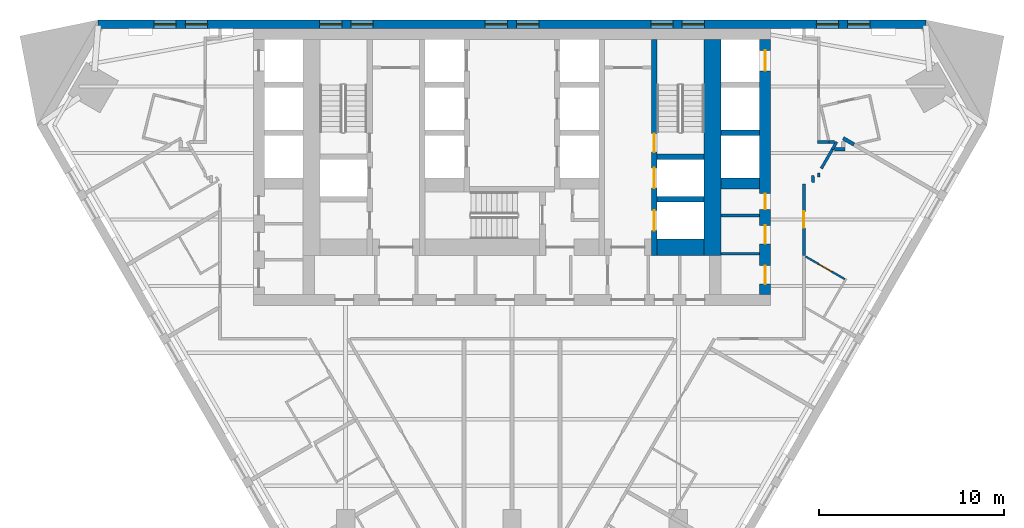
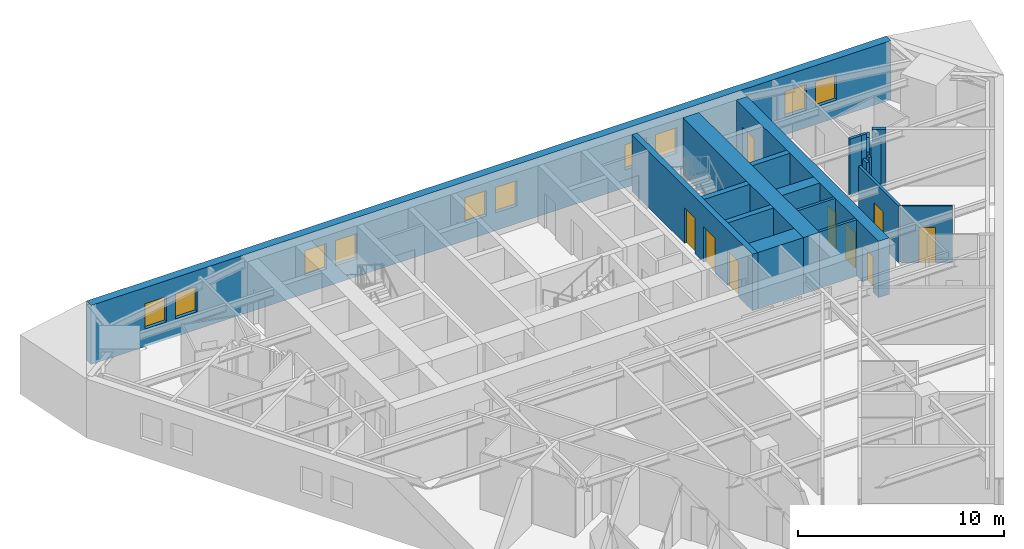
# One storey, part 8 of 10: 21 walls, 10 windows, 9 doors, 19 openings.
"""IFC4 building model written with IfcOpenShell, lengths in metres."""

import ifcopenshell
import ifcopenshell.guid

model = None  # the IFC model being written
_history = None  # IfcOwnerHistory: only IFC2X3 demands one
_inside = {}  # id of a spatial element -> (the spatial element, [elements in it])
_under = {}  # id of a project, library or spatial element -> (it, [spatial elements below it])
_declared = {}  # id of a project -> (the project, [libraries it declares])
_typed = {}  # id of a type object -> (the type object, [elements of that type])
_made_of = {}  # id of a material, layer set ... -> (it, [elements and type objects made of it])


def new_model(schema):
    """Start an empty IFC model of exactly this schema.

    Asked for "IFC4X3", IfcOpenShell would pick the latest addendum, in which some entities
    have other attributes; the version numbers below select the first issue.
    IFC2X3 requires an IfcOwnerHistory on every rooted entity: one is made here for all.
    """
    global model, _history
    if schema == "IFC4X3":
        model = ifcopenshell.file(schema_version=(4, 3, 0, 0))
    else:
        model = ifcopenshell.file(schema=schema)
    _inside.clear()
    _under.clear()
    _declared.clear()
    _typed.clear()
    _made_of.clear()
    _history = None
    if model.schema == "IFC2X3":
        org = make("IfcOrganization", Name="unknown")
        user = make(
            "IfcPersonAndOrganization",
            ThePerson=make("IfcPerson", FamilyName="unknown"),
            TheOrganization=org,
        )
        app = make(
            "IfcApplication",
            ApplicationDeveloper=org,
            Version="unknown",
            ApplicationFullName="unknown",
            ApplicationIdentifier="unknown",
        )
        _history = make(
            "IfcOwnerHistory",
            OwningUser=user,
            OwningApplication=app,
            ChangeAction="ADDED",
            CreationDate=0,
        )
    return model


def make(cls, **values):
    """One entity of the class cls with the attributes given. An attribute that is None is left unset."""
    return model.create_entity(
        cls, **{name: value for name, value in values.items() if value is not None}
    )


def rooted(cls, **values):
    """An entity with a GlobalId (a new one), such as an element, a storey or a relation."""
    return make(cls, GlobalId=ifcopenshell.guid.new(), OwnerHistory=_history, **values)


def si_unit(unit_type, name, prefix=None):
    """IfcSIUnit, for example si_unit("LENGTHUNIT", "METRE", prefix="MILLI")."""
    return make("IfcSIUnit", UnitType=unit_type, Prefix=prefix, Name=name)


def assignment(units):
    """IfcUnitAssignment: the units of a project."""
    return None if units is None else make("IfcUnitAssignment", Units=units)


def point(xyz):
    """IfcCartesianPoint."""
    return None if xyz is None else make("IfcCartesianPoint", Coordinates=xyz)


def direction(xyz):
    """IfcDirection."""
    return None if xyz is None else make("IfcDirection", DirectionRatios=xyz)


def frame(location, z_axis=None, x_axis=None):
    """IfcAxis2Placement3D, a coordinate frame: its origin and axes. An axis left out is left unset."""
    return make(
        "IfcAxis2Placement3D",
        Location=point(location),
        Axis=direction(z_axis),
        RefDirection=direction(x_axis),
    )


def frame_2d(location, x_axis=None):
    """IfcAxis2Placement2D, a coordinate frame in the plane: its origin and x axis."""
    return make(
        "IfcAxis2Placement2D", Location=point(location), RefDirection=direction(x_axis)
    )


def origin():
    """The frame at (0, 0, 0) with its axes left unset."""
    return frame((0.0, 0.0, 0.0))


def place(relative_to, where):
    """IfcLocalPlacement: puts the frame where relative to a parent placement (None: the world)."""
    return make(
        "IfcLocalPlacement", PlacementRelTo=relative_to, RelativePlacement=where
    )


def context(
    kind, dimensions, precision=None, world=None, true_north=None, identifier=None
):
    """IfcGeometricRepresentationContext, for example the 3D "Model" context."""
    return make(
        "IfcGeometricRepresentationContext",
        ContextIdentifier=identifier,
        ContextType=kind,
        CoordinateSpaceDimension=dimensions,
        Precision=precision,
        WorldCoordinateSystem=world,
        TrueNorth=true_north,
    )


def subcontext(parent, identifier, kind, view, scale=None):
    """IfcGeometricRepresentationSubContext, for example "Body" below "Model"."""
    return make(
        "IfcGeometricRepresentationSubContext",
        ContextIdentifier=identifier,
        ContextType=kind,
        ParentContext=parent,
        TargetScale=scale,
        TargetView=view,
    )


def project(units=None, contexts=None):
    """IfcProject with its units and contexts."""
    return rooted(
        "IfcProject",
        Name="project",
        RepresentationContexts=contexts,
        UnitsInContext=assignment(units),
    )


def spatial(cls, under=None, at=None, **own):
    """A site, building, storey or space (cls), placed at a placement, below another one or the project."""
    s = rooted(cls, ObjectPlacement=at, **own)
    if under is not None:
        _under.setdefault(under.id(), (under, []))[1].append(s)
    return s


def polyline(points):
    """IfcPolyline through the points."""
    return make("IfcPolyline", Points=[point(p) for p in points])


def profile(cls, at=None, kind="AREA", **sizes):
    """A parametric profile (cls). Its sizes go by their IFC names, for example OverallWidth=200.0."""
    return make(cls, ProfileType=kind, Position=at, **sizes)


def rectangle(**sizes):
    """IfcRectangleProfileDef."""
    return profile("IfcRectangleProfileDef", **sizes)


def outline(outer, holes=None, kind="AREA"):
    """IfcArbitraryClosedProfileDef: a profile drawn as a closed curve; with holes, ...WithVoids."""
    if holes is None:
        return make("IfcArbitraryClosedProfileDef", ProfileType=kind, OuterCurve=outer)
    return make(
        "IfcArbitraryProfileDefWithVoids",
        ProfileType=kind,
        OuterCurve=outer,
        InnerCurves=holes,
    )


def extrude(swept, where, along, depth):
    """IfcExtrudedAreaSolid: the profile swept, set in the frame where, extruded along a direction by depth."""
    return make(
        "IfcExtrudedAreaSolid",
        SweptArea=swept,
        Position=where,
        ExtrudedDirection=direction(along),
        Depth=depth,
    )


def shape(context_of_items, identifier, shape_type, items):
    """IfcShapeRepresentation: the items that make up one representation, for example the "Body"."""
    return make(
        "IfcShapeRepresentation",
        ContextOfItems=context_of_items,
        RepresentationIdentifier=identifier,
        RepresentationType=shape_type,
        Items=items,
    )


def material(Name=None, Category=None):
    """IfcMaterial."""
    return make("IfcMaterial", Name=Name, Category=Category)


def layer(
    of_material, thickness, ventilated=None, Name=None, Category=None, Priority=None
):
    """IfcMaterialLayer: one layer of a wall or slab, of a material (None: an air gap)."""
    return make(
        "IfcMaterialLayer",
        Material=of_material,
        LayerThickness=thickness,
        IsVentilated=ventilated,
        Name=Name,
        Category=Category,
        Priority=Priority,
    )


def layer_set(layers, Name=None):
    """IfcMaterialLayerSet."""
    return make("IfcMaterialLayerSet", MaterialLayers=layers, LayerSetName=Name)


def made_of(thing, what):
    """Note that an element or type object is made of a material, layer set ...; save() writes the relation."""
    if what is not None:
        _made_of.setdefault(what.id(), (what, []))[1].append(thing)
    return thing


def type_object(cls, material=None, **own):
    """A type object (cls), such as IfcWallType, which elements share."""
    return made_of(rooted(cls, **own), material)


def element(
    cls,
    number,
    at=None,
    inside=None,
    cuts=None,
    type_object=None,
    material=None,
    context=None,
    identifier="Body",
    shape_type=None,
    held_by="IfcProductDefinitionShape",
    body=None,
    shapes=None,
    **own,
):
    """One element of the class cls, such as IfcWall. Its Tag is "e" and its number.

    at: its placement. inside: the storey or other place that contains it. cuts: it is an
    opening in that element (IfcRelVoidsElement). A single representation is given by context,
    identifier, shape_type and body (its items); several are given by shapes. held_by: the class
    of the entity that holds the representations. save() writes the other relations.
    """
    e = rooted(cls, Tag="e%d" % number, ObjectPlacement=at, **own)
    if body is not None:
        shapes = [shape(context, identifier, shape_type, body)]
    if shapes is not None:
        e.Representation = make(held_by, Representations=shapes)
    if inside is not None:
        _inside.setdefault(inside.id(), (inside, []))[1].append(e)
    if cuts is not None:
        rooted(
            "IfcRelVoidsElement", RelatingBuildingElement=cuts, RelatedOpeningElement=e
        )
    if type_object is not None:
        _typed.setdefault(type_object.id(), (type_object, []))[1].append(e)
    return made_of(e, material)


def fill(opening, filler):
    """IfcRelFillsElement: the door or window that sits in an opening."""
    return rooted(
        "IfcRelFillsElement",
        RelatingOpeningElement=opening,
        RelatedBuildingElement=filler,
    )


def aggregate(whole, parts):
    """IfcRelAggregates: a whole, such as a stair, and the parts it consists of."""
    return rooted("IfcRelAggregates", RelatingObject=whole, RelatedObjects=parts)


def save(model, path):
    """Write the relations noted so far, then the file.

    IfcRelAggregates (storeys below a building ...), IfcRelContainedInSpatialStructure (elements
    in a storey), IfcRelDefinesByType, IfcRelAssociatesMaterial and IfcRelDeclares: one each for
    every whole, place, type object, material and project.
    """
    for whole, parts in _under.values():
        aggregate(whole, parts)
    for where, things in _inside.values():
        rooted(
            "IfcRelContainedInSpatialStructure",
            RelatedElements=things,
            RelatingStructure=where,
        )
    for kind, things in _typed.values():
        rooted("IfcRelDefinesByType", RelatedObjects=things, RelatingType=kind)
    for what, things in _made_of.values():
        rooted("IfcRelAssociatesMaterial", RelatedObjects=things, RelatingMaterial=what)
    for by, libraries in _declared.values():
        rooted("IfcRelDeclares", RelatingContext=by, RelatedDefinitions=libraries)
    model.write(path)


model = new_model("IFC4")

# Units and contexts
model_context = context("Model", 3, precision=1e-05, world=origin(), true_north=direction((0.0, 1.0)))
body_context = subcontext(model_context, "Body", "Model", "MODEL_VIEW")
ifc_project = project(units=[si_unit("LENGTHUNIT", "METRE"), si_unit("AREAUNIT", "SQUARE_METRE"), si_unit("VOLUMEUNIT", "CUBIC_METRE"), si_unit("PLANEANGLEUNIT", "RADIAN"), si_unit("MASSUNIT", "GRAM", prefix="KILO")], contexts=[model_context])

# Site, building, storey
site_placement = place(None, origin())
site = spatial("IfcSite", under=ifc_project, at=site_placement, CompositionType="ELEMENT")
building_placement = place(site_placement, origin())
building = spatial("IfcBuilding", under=site, at=building_placement, Name="Aloe Facet Convention Tower", CompositionType="ELEMENT")
storey_placement = place(building_placement, frame((0.0, 0.0, 59.5)))
storey = spatial("IfcBuildingStorey", under=building, at=storey_placement, Name="L13", CompositionType="ELEMENT", Elevation=59.5)

# Walls
ifc_material_1 = material(Name="Concrete blockwork partition", Category="masonry")
ifc_layer_1 = layer(ifc_material_1, 0.14990234375)
ifc_layer_set_1 = layer_set([ifc_layer_1], Name="CR-W-PART150")
wall_type_1 = type_object("IfcWallType", Name="CR-W-PART150", PredefinedType="PARTITIONING", material=ifc_layer_set_1)
for number, where, z_axis, x_axis, name in (
    (1, (91.300048828125, 124.425048828125, 0.0), (0.0, 0.0, 1.0), (1.0, 0.0, 0.0), "Core partition L13-052"),
    (2, (91.300048828125, 122.346435546875, 0.0), (0.0, 0.0, 1.0), (1.0, 0.0, 0.0), "Core partition L13-053"),
):
    element("IfcWall", number, at=place(storey_placement, frame(where, z_axis=z_axis, x_axis=x_axis)), inside=storey, type_object=wall_type_1, Name=name, PredefinedType="PARTITIONING", context=body_context, shape_type="SweptSolid", body=[
        extrude(rectangle(XDim=2.099853515625, YDim=0.14990234375, at=frame_2d((1.0498046875, 0.0))), origin(), (0.0, 0.0, 1.0), 3.35009765625),
    ])

# Wall, openings, doors
ifc_material_2 = material(Name="Concrete C80/95", Category="concrete")
ifc_layer_2 = layer(ifc_material_2, 0.300048828125)
ifc_layer_set_2 = layer_set([ifc_layer_2], Name="CR-W-RC300-C8095")
wall_type_2 = type_object("IfcWallType", Name="CR-W-RC300-C8095", PredefinedType="SOLIDWALL", material=ifc_layer_set_2)
wall_1_placement = place(storey_placement, frame((87.699951171875, 133.949951171875, 0.0), z_axis=(0.0, 0.0, 1.0), x_axis=(0.0, -1.0, 0.0)))
wall_1 = element("IfcWall", 3, at=wall_1_placement, inside=storey, type_object=wall_type_2, Name="Core wall L13-042", PredefinedType="SOLIDWALL", context=body_context, shape_type="SweptSolid", body=[
    extrude(rectangle(XDim=11.699951171875, YDim=0.300048828125, at=frame_2d((5.85009765625, 0.0))), origin(), (0.0, 0.0, 1.0), 3.35009765625),
])
opening_1_placement = place(wall_1_placement, frame((6.949951171875, 0.0, 0.0)))
opening_1 = element("IfcOpeningElement", 4, at=opening_1_placement, cuts=wall_1, Name="Opening LD-FF2-L13", PredefinedType="OPENING", context=body_context, shape_type="SweptSolid", body=[
    extrude(rectangle(XDim=1.10009765625, YDim=2.10009765625, at=frame_2d((0.550048828125, 1.050048828125))), frame((0.0, 0.16015625, 0.0), z_axis=(0.0, -1.0, 0.0), x_axis=(1.0, 0.0, 0.0)), (0.0, 0.0, 1.0), 0.320068359375),
])
opening_2_placement = place(wall_1_placement, frame((5.10009765625, 0.0, 0.0)))
opening_2 = element("IfcOpeningElement", 5, at=opening_2_placement, cuts=wall_1, Name="Opening L13-CD31", PredefinedType="OPENING", context=body_context, shape_type="SweptSolid", body=[
    extrude(rectangle(XDim=1.0, YDim=2.10009765625, at=frame_2d((0.5, 1.050048828125))), frame((0.0, 0.16015625, 0.0), z_axis=(0.0, -1.0, 0.0), x_axis=(1.0, 0.0, 0.0)), (0.0, 0.0, 1.0), 0.320068359375),
])
opening_3_placement = place(wall_1_placement, frame((9.25, 0.0, 0.0)))
opening_3 = element("IfcOpeningElement", 6, at=opening_3_placement, cuts=wall_1, Name="Opening LD-SV1-L13", PredefinedType="OPENING", context=body_context, shape_type="SweptSolid", body=[
    extrude(rectangle(XDim=1.10009765625, YDim=2.10009765625, at=frame_2d((0.550048828125, 1.050048828125))), frame((0.0, 0.16015625, 0.0), z_axis=(0.0, -1.0, 0.0), x_axis=(1.0, 0.0, 0.0)), (0.0, 0.0, 1.0), 0.320068359375),
])
ifc_material_3 = material(Name="Steel fire-resisting door set FD120", Category="steel")
door_type_1 = type_object("IfcDoorType", Name="CR-D-STAIR-1000-FD120-SLEFT", OperationType="SINGLE_SWING_LEFT", PredefinedType="DOOR", material=ifc_material_3)
door_1_placement = place(opening_2_placement, origin())
door_1 = element("IfcDoor", 7, at=door_1_placement, inside=storey, type_object=door_type_1, Name="Core door L13-CD31", OperationType="SINGLE_SWING_LEFT", OverallHeight=2.10009765625, OverallWidth=1.0, PredefinedType="DOOR", context=body_context, shape_type="SweptSolid", body=[
    extrude(rectangle(XDim=1.0, YDim=2.10009765625, at=frame_2d((0.5, 1.050048828125))), frame((0.0, 0.02490234375, 0.0), z_axis=(0.0, -1.0, 0.0), x_axis=(1.0, 0.0, 0.0)), (0.0, 0.0, 1.0), 0.050048828125),
])
fill(opening_2, door_1)
ifc_material_4 = material(Name="Stainless steel sliding landing door", Category="steel")
door_type_2 = type_object("IfcDoorType", Name="CR-LD-1100-FD120-_LEFT", OperationType="SLIDING_TO_LEFT", PredefinedType="DOOR", material=ifc_material_4)
door_2_placement = place(opening_1_placement, origin())
door_2 = element("IfcDoor", 8, at=door_2_placement, inside=storey, type_object=door_type_2, Name="Landing door FF2 L13", OperationType="SLIDING_TO_LEFT", OverallHeight=2.10009765625, OverallWidth=1.10009765625, PredefinedType="DOOR", context=body_context, shape_type="SweptSolid", body=[
    extrude(rectangle(XDim=1.10009765625, YDim=2.10009765625, at=frame_2d((0.550048828125, 1.050048828125))), frame((0.0, 0.02490234375, 0.0), z_axis=(0.0, -1.0, 0.0), x_axis=(1.0, 0.0, 0.0)), (0.0, 0.0, 1.0), 0.050048828125),
])
fill(opening_1, door_2)
door_3_placement = place(opening_3_placement, origin())
door_3 = element("IfcDoor", 9, at=door_3_placement, inside=storey, type_object=door_type_2, Name="Landing door SV1 L13", OperationType="SLIDING_TO_LEFT", OverallHeight=2.10009765625, OverallWidth=1.10009765625, PredefinedType="DOOR", context=body_context, shape_type="SweptSolid", body=[
    extrude(rectangle(XDim=1.10009765625, YDim=2.10009765625, at=frame_2d((0.550048828125, 1.050048828125))), frame((0.0, 0.02490234375, 0.0), z_axis=(0.0, -1.0, 0.0), x_axis=(1.0, 0.0, 0.0)), (0.0, 0.0, 1.0), 0.050048828125),
])
fill(opening_3, door_3)

# Walls
for number, where, z_axis, x_axis, name in (
    (10, (87.85009765625, 127.60009765625, 0.0), (0.0, 0.0, 1.0), (1.0, 0.0, 0.0), "Core wall L13-043"),
    (11, (87.85009765625, 125.300048828125, 0.0), (0.0, 0.0, 1.0), (1.0, 0.0, 0.0), "Core wall L13-044"),
):
    element("IfcWall", number, at=place(storey_placement, frame(where, z_axis=z_axis, x_axis=x_axis)), inside=storey, type_object=wall_type_2, Name=name, PredefinedType="SOLIDWALL", context=body_context, shape_type="SweptSolid", body=[
        extrude(rectangle(XDim=2.5498046875, YDim=0.300048828125, at=frame_2d((1.27490234375, 0.0))), origin(), (0.0, 0.0, 1.0), 3.35009765625),
    ])
wall_2_placement = place(storey_placement, frame((91.300048828125, 128.89990234375, 0.0), z_axis=(0.0, 0.0, 1.0), x_axis=(1.0, 0.0, 0.0)))
element("IfcWall", 12, at=wall_2_placement, inside=storey, type_object=wall_type_2, Name="Core wall L13-050", PredefinedType="SOLIDWALL", context=body_context, shape_type="SweptSolid", body=[
    extrude(rectangle(XDim=2.099853515625, YDim=0.300048828125, at=frame_2d((1.0498046875, 0.0))), origin(), (0.0, 0.0, 1.0), 3.35009765625),
])
ifc_material_5 = material(Name="Concrete C80/95", Category="concrete")
ifc_layer_3 = layer(ifc_material_5, 0.60009765625)
ifc_layer_set_3 = layer_set([ifc_layer_3], Name="CR-W-RC600-C8095")
wall_type_3 = type_object("IfcWallType", Name="CR-W-RC600-C8095", PredefinedType="SOLIDWALL", material=ifc_layer_set_3)
wall_3_placement = place(storey_placement, frame((91.300048828125, 126.14990234375, 0.0), z_axis=(0.0, 0.0, 1.0), x_axis=(1.0, 0.0, 0.0)))
element("IfcWall", 13, at=wall_3_placement, inside=storey, type_object=wall_type_3, Name="Core wall L13-051", PredefinedType="SOLIDWALL", context=body_context, shape_type="SweptSolid", body=[
    extrude(rectangle(XDim=2.099853515625, YDim=0.60009765625, at=frame_2d((1.0498046875, 0.0))), origin(), (0.0, 0.0, 1.0), 3.35009765625),
])

# Wall, openings, doors
wall_4_placement = place(storey_placement, frame((93.699951171875, 133.949951171875, 0.0), z_axis=(0.0, 0.0, 1.0), x_axis=(0.0, -1.0, 0.0)))
wall_4 = element("IfcWall", 14, at=wall_4_placement, inside=storey, type_object=wall_type_3, Name="Core wall L13-054", PredefinedType="SOLIDWALL", context=body_context, shape_type="SweptSolid", body=[
    extrude(rectangle(XDim=13.800048828125, YDim=0.60009765625, at=frame_2d((6.89990234375, 0.0))), origin(), (0.0, 0.0, 1.0), 3.35009765625),
])
opening_4_placement = place(wall_4_placement, frame((0.60009765625, 0.0, 0.0)))
opening_4 = element("IfcOpeningElement", 15, at=opening_4_placement, cuts=wall_4, Name="Opening LD-A8-L13", PredefinedType="OPENING", context=body_context, shape_type="SweptSolid", body=[
    extrude(rectangle(XDim=1.10009765625, YDim=2.10009765625, at=frame_2d((0.550048828125, 1.050048828125))), frame((0.0, 0.31005859375, 0.0), z_axis=(0.0, -1.0, 0.0), x_axis=(1.0, 0.0, 0.0)), (0.0, 0.0, 1.0), 0.6201171875),
])
opening_5_placement = place(wall_4_placement, frame((10.064208984375, 0.0, 0.0)))
opening_5 = element("IfcOpeningElement", 16, at=opening_5_placement, cuts=wall_4, Name="Opening L13-CD09", PredefinedType="OPENING", context=body_context, shape_type="SweptSolid", body=[
    extrude(rectangle(XDim=1.0, YDim=2.10009765625, at=frame_2d((0.5, 1.050048828125))), frame((0.0, 0.31005859375, 0.0), z_axis=(0.0, -1.0, 0.0), x_axis=(1.0, 0.0, 0.0)), (0.0, 0.0, 1.0), 0.6201171875),
])
opening_6_placement = place(wall_4_placement, frame((8.35009765625, 0.0, 0.0)))
opening_6 = element("IfcOpeningElement", 17, at=opening_6_placement, cuts=wall_4, Name="Opening L13-CD10", PredefinedType="OPENING", context=body_context, shape_type="SweptSolid", body=[
    extrude(rectangle(XDim=0.85009765625, YDim=2.10009765625, at=frame_2d((0.425048828125, 1.050048828125))), frame((0.0, 0.31005859375, 0.0), z_axis=(0.0, -1.0, 0.0), x_axis=(1.0, 0.0, 0.0)), (0.0, 0.0, 1.0), 0.6201171875),
])
opening_7_placement = place(wall_4_placement, frame((12.2392578125, 0.0, 0.0)))
opening_7 = element("IfcOpeningElement", 18, at=opening_7_placement, cuts=wall_4, Name="Opening L13-CD11", PredefinedType="OPENING", context=body_context, shape_type="SweptSolid", body=[
    extrude(rectangle(XDim=1.0, YDim=2.10009765625, at=frame_2d((0.5, 1.050048828125))), frame((0.0, 0.31005859375, 0.0), z_axis=(0.0, -1.0, 0.0), x_axis=(1.0, 0.0, 0.0)), (0.0, 0.0, 1.0), 0.6201171875),
])
ifc_material_6 = material(Name="Steel fire-resisting door set FD60", Category="steel")
door_type_3 = type_object("IfcDoorType", Name="CR-D-ROOM-1000-FD60-SLEFT", OperationType="SINGLE_SWING_LEFT", PredefinedType="DOOR", material=ifc_material_6)
door_4_placement = place(opening_5_placement, origin())
door_4 = element("IfcDoor", 19, at=door_4_placement, inside=storey, type_object=door_type_3, Name="Core door L13-CD09", OperationType="SINGLE_SWING_LEFT", OverallHeight=2.10009765625, OverallWidth=1.0, PredefinedType="DOOR", context=body_context, shape_type="SweptSolid", body=[
    extrude(rectangle(XDim=1.0, YDim=2.10009765625, at=frame_2d((0.5, 1.050048828125))), frame((0.0, 0.02490234375, 0.0), z_axis=(0.0, -1.0, 0.0), x_axis=(1.0, 0.0, 0.0)), (0.0, 0.0, 1.0), 0.050048828125),
])
fill(opening_5, door_4)
door_5_placement = place(opening_7_placement, origin())
door_5 = element("IfcDoor", 20, at=door_5_placement, inside=storey, type_object=door_type_3, Name="Core door L13-CD11", OperationType="SINGLE_SWING_LEFT", OverallHeight=2.10009765625, OverallWidth=1.0, PredefinedType="DOOR", context=body_context, shape_type="SweptSolid", body=[
    extrude(rectangle(XDim=1.0, YDim=2.10009765625, at=frame_2d((0.5, 1.050048828125))), frame((0.0, 0.02490234375, 0.0), z_axis=(0.0, -1.0, 0.0), x_axis=(1.0, 0.0, 0.0)), (0.0, 0.0, 1.0), 0.050048828125),
])
fill(opening_7, door_5)
ifc_material_7 = material(Name="Steel fire-resisting door set FD60", Category="steel")
door_type_4 = type_object("IfcDoorType", Name="CR-D-ROOM-850-FD60-SLEFT", OperationType="SINGLE_SWING_LEFT", PredefinedType="DOOR", material=ifc_material_7)
door_6_placement = place(opening_6_placement, origin())
door_6 = element("IfcDoor", 21, at=door_6_placement, inside=storey, type_object=door_type_4, Name="Core door L13-CD10", OperationType="SINGLE_SWING_LEFT", OverallHeight=2.10009765625, OverallWidth=0.85009765625, PredefinedType="DOOR", context=body_context, shape_type="SweptSolid", body=[
    extrude(rectangle(XDim=0.85009765625, YDim=2.10009765625, at=frame_2d((0.425048828125, 1.050048828125))), frame((0.0, 0.02490234375, 0.0), z_axis=(0.0, -1.0, 0.0), x_axis=(1.0, 0.0, 0.0)), (0.0, 0.0, 1.0), 0.050048828125),
])
fill(opening_6, door_6)
ifc_material_8 = material(Name="Stainless steel sliding landing door", Category="steel")
door_type_5 = type_object("IfcDoorType", Name="CR-LD-1100-FD60-_LEFT", OperationType="SLIDING_TO_LEFT", PredefinedType="DOOR", material=ifc_material_8)
door_7_placement = place(opening_4_placement, origin())
door_7 = element("IfcDoor", 22, at=door_7_placement, inside=storey, type_object=door_type_5, Name="Landing door A8 L13", OperationType="SLIDING_TO_LEFT", OverallHeight=2.10009765625, OverallWidth=1.10009765625, PredefinedType="DOOR", context=body_context, shape_type="SweptSolid", body=[
    extrude(rectangle(XDim=1.10009765625, YDim=2.10009765625, at=frame_2d((0.550048828125, 1.050048828125))), frame((0.0, 0.02490234375, 0.0), z_axis=(0.0, -1.0, 0.0), x_axis=(1.0, 0.0, 0.0)), (0.0, 0.0, 1.0), 0.050048828125),
])
fill(opening_4, door_7)

# Walls
ifc_material_9 = material(Name="Concrete C80/95", Category="concrete")
ifc_layer_4 = layer(ifc_material_9, 0.89990234375)
ifc_layer_set_4 = layer_set([ifc_layer_4], Name="CR-W-RC900-C8095")
wall_type_4 = type_object("IfcWallType", Name="CR-W-RC900-C8095", PredefinedType="SOLIDWALL", material=ifc_layer_set_4)
wall_5_placement = place(storey_placement, frame((87.85009765625, 122.699951171875, 0.0), z_axis=(0.0, 0.0, 1.0), x_axis=(1.0, 0.0, 0.0)))
element("IfcWall", 23, at=wall_5_placement, inside=storey, type_object=wall_type_4, Name="Core wall L13-045", PredefinedType="SOLIDWALL", context=body_context, shape_type="SweptSolid", body=[
    extrude(rectangle(XDim=2.5498046875, YDim=0.89990234375, at=frame_2d((1.27490234375, 0.0))), origin(), (0.0, 0.0, 1.0), 3.35009765625),
])
wall_6_placement = place(storey_placement, frame((90.85009765625, 133.949951171875, 0.0), z_axis=(0.0, 0.0, 1.0), x_axis=(0.0, -1.0, 0.0)))
element("IfcWall", 24, at=wall_6_placement, inside=storey, type_object=wall_type_4, Name="Core wall L13-047", PredefinedType="SOLIDWALL", context=body_context, shape_type="SweptSolid", body=[
    extrude(rectangle(XDim=11.699951171875, YDim=0.89990234375, at=frame_2d((5.85009765625, 0.0))), origin(), (0.0, 0.0, 1.0), 3.35009765625),
])

# Wall, openings, windows
ifc_material_10 = material(Name="Precast concrete C40/50", Category="concrete")
ifc_layer_5 = layer(ifc_material_10, 0.449951171875)
ifc_layer_set_5 = layer_set([ifc_layer_5], Name="EV-WALL-STONE")
wall_type_5 = type_object("IfcWallType", Name="EV-WALL-STONE", PredefinedType="SOLIDWALL", material=ifc_layer_set_5)
wall_7_placement = place(storey_placement, frame((102.39990234375, 134.77490234375, -0.14990234375), z_axis=(0.0, 0.0, 1.0), x_axis=(-1.0, 0.0, 0.0)))
wall_7 = element("IfcWall", 25, at=wall_7_placement, inside=storey, type_object=wall_type_5, Name="EW-L13-N01", PredefinedType="SOLIDWALL", context=body_context, shape_type="SweptSolid", body=[
    extrude(outline(polyline([(44.800048828125, 0.0), (44.800048828125, 3.5), (0.0, 3.5), (0.0, 0.0), (44.800048828125, 0.0)])), frame((0.0, 0.22509765625, 0.0), z_axis=(0.0, -1.0, 0.0), x_axis=(1.0, 0.0, 0.0)), (0.0, 0.0, 1.0), 0.449951171875),
])
opening_8_placement = place(wall_7_placement, frame((3.030029296875, 0.0, 1.050048828125)))
opening_8 = element("IfcOpeningElement", 26, at=opening_8_placement, cuts=wall_7, Name="Opening W-L13-N01", PredefinedType="OPENING", context=body_context, shape_type="SweptSolid", body=[
    extrude(rectangle(XDim=1.199951171875, YDim=1.5, at=frame_2d((0.60009765625, 0.75))), frame((0.0, 0.23486328125, 0.0), z_axis=(0.0, -1.0, 0.0), x_axis=(1.0, 0.0, 0.0)), (0.0, 0.0, 1.0), 0.469970703125),
])
opening_9_placement = place(wall_7_placement, frame((4.72998046875, 0.0, 1.050048828125)))
opening_9 = element("IfcOpeningElement", 27, at=opening_9_placement, cuts=wall_7, Name="Opening W-L13-N02", PredefinedType="OPENING", context=body_context, shape_type="SweptSolid", body=[
    extrude(rectangle(XDim=1.199951171875, YDim=1.5, at=frame_2d((0.60009765625, 0.75))), frame((0.0, 0.23486328125, 0.0), z_axis=(0.0, -1.0, 0.0), x_axis=(1.0, 0.0, 0.0)), (0.0, 0.0, 1.0), 0.469970703125),
])
opening_10_placement = place(wall_7_placement, frame((11.989990234375, 0.0, 1.050048828125)))
opening_10 = element("IfcOpeningElement", 28, at=opening_10_placement, cuts=wall_7, Name="Opening W-L13-N03", PredefinedType="OPENING", context=body_context, shape_type="SweptSolid", body=[
    extrude(rectangle(XDim=1.199951171875, YDim=1.5, at=frame_2d((0.60009765625, 0.75))), frame((0.0, 0.23486328125, 0.0), z_axis=(0.0, -1.0, 0.0), x_axis=(1.0, 0.0, 0.0)), (0.0, 0.0, 1.0), 0.469970703125),
])
opening_11_placement = place(wall_7_placement, frame((13.68994140625, 0.0, 1.050048828125)))
opening_11 = element("IfcOpeningElement", 29, at=opening_11_placement, cuts=wall_7, Name="Opening W-L13-N04", PredefinedType="OPENING", context=body_context, shape_type="SweptSolid", body=[
    extrude(rectangle(XDim=1.199951171875, YDim=1.5, at=frame_2d((0.60009765625, 0.75))), frame((0.0, 0.23486328125, 0.0), z_axis=(0.0, -1.0, 0.0), x_axis=(1.0, 0.0, 0.0)), (0.0, 0.0, 1.0), 0.469970703125),
])
opening_12_placement = place(wall_7_placement, frame((20.949951171875, 0.0, 1.050048828125)))
opening_12 = element("IfcOpeningElement", 30, at=opening_12_placement, cuts=wall_7, Name="Opening W-L13-N05", PredefinedType="OPENING", context=body_context, shape_type="SweptSolid", body=[
    extrude(rectangle(XDim=1.199951171875, YDim=1.5, at=frame_2d((0.60009765625, 0.75))), frame((0.0, 0.23486328125, 0.0), z_axis=(0.0, -1.0, 0.0), x_axis=(1.0, 0.0, 0.0)), (0.0, 0.0, 1.0), 0.469970703125),
])
opening_13_placement = place(wall_7_placement, frame((22.64990234375, 0.0, 1.050048828125)))
opening_13 = element("IfcOpeningElement", 31, at=opening_13_placement, cuts=wall_7, Name="Opening W-L13-N06", PredefinedType="OPENING", context=body_context, shape_type="SweptSolid", body=[
    extrude(rectangle(XDim=1.199951171875, YDim=1.5, at=frame_2d((0.60009765625, 0.75))), frame((0.0, 0.23486328125, 0.0), z_axis=(0.0, -1.0, 0.0), x_axis=(1.0, 0.0, 0.0)), (0.0, 0.0, 1.0), 0.469970703125),
])
opening_14_placement = place(wall_7_placement, frame((29.909912109375, 0.0, 1.050048828125)))
opening_14 = element("IfcOpeningElement", 32, at=opening_14_placement, cuts=wall_7, Name="Opening W-L13-N07", PredefinedType="OPENING", context=body_context, shape_type="SweptSolid", body=[
    extrude(rectangle(XDim=1.199951171875, YDim=1.5, at=frame_2d((0.60009765625, 0.75))), frame((0.0, 0.23486328125, 0.0), z_axis=(0.0, -1.0, 0.0), x_axis=(1.0, 0.0, 0.0)), (0.0, 0.0, 1.0), 0.469970703125),
])
opening_15_placement = place(wall_7_placement, frame((31.610107421875, 0.0, 1.050048828125)))
opening_15 = element("IfcOpeningElement", 33, at=opening_15_placement, cuts=wall_7, Name="Opening W-L13-N08", PredefinedType="OPENING", context=body_context, shape_type="SweptSolid", body=[
    extrude(rectangle(XDim=1.199951171875, YDim=1.5, at=frame_2d((0.60009765625, 0.75))), frame((0.0, 0.23486328125, 0.0), z_axis=(0.0, -1.0, 0.0), x_axis=(1.0, 0.0, 0.0)), (0.0, 0.0, 1.0), 0.469970703125),
])
opening_16_placement = place(wall_7_placement, frame((38.8701171875, 0.0, 1.050048828125)))
opening_16 = element("IfcOpeningElement", 34, at=opening_16_placement, cuts=wall_7, Name="Opening W-L13-N09", PredefinedType="OPENING", context=body_context, shape_type="SweptSolid", body=[
    extrude(rectangle(XDim=1.199951171875, YDim=1.5, at=frame_2d((0.60009765625, 0.75))), frame((0.0, 0.23486328125, 0.0), z_axis=(0.0, -1.0, 0.0), x_axis=(1.0, 0.0, 0.0)), (0.0, 0.0, 1.0), 0.469970703125),
])
opening_17_placement = place(wall_7_placement, frame((40.570068359375, 0.0, 1.050048828125)))
opening_17 = element("IfcOpeningElement", 35, at=opening_17_placement, cuts=wall_7, Name="Opening W-L13-N10", PredefinedType="OPENING", context=body_context, shape_type="SweptSolid", body=[
    extrude(rectangle(XDim=1.199951171875, YDim=1.5, at=frame_2d((0.60009765625, 0.75))), frame((0.0, 0.23486328125, 0.0), z_axis=(0.0, -1.0, 0.0), x_axis=(1.0, 0.0, 0.0)), (0.0, 0.0, 1.0), 0.469970703125),
])
ifc_material_11 = material(Name="Aluminium frame, clear double glazing", Category="aluminium")
window_type = type_object("IfcWindowType", Name="EV-WIN-H12", PartitioningType="SINGLE_PANEL", PredefinedType="WINDOW", material=ifc_material_11)
window_1_placement = place(opening_8_placement, origin())
window_1 = element("IfcWindow", 36, at=window_1_placement, inside=storey, type_object=window_type, Name="W-L13-N01", OverallHeight=1.5, OverallWidth=1.199951171875, PartitioningType="SINGLE_PANEL", PredefinedType="WINDOW", context=body_context, shape_type="SweptSolid", body=[
    extrude(rectangle(XDim=1.199951171875, YDim=1.5, at=frame_2d((0.60009765625, 0.75))), frame((0.0, 0.030029296875, 0.0), z_axis=(0.0, -1.0, 0.0), x_axis=(1.0, 0.0, 0.0)), (0.0, 0.0, 1.0), 0.06005859375),
])
fill(opening_8, window_1)
window_2_placement = place(opening_9_placement, origin())
window_2 = element("IfcWindow", 37, at=window_2_placement, inside=storey, type_object=window_type, Name="W-L13-N02", OverallHeight=1.5, OverallWidth=1.199951171875, PartitioningType="SINGLE_PANEL", PredefinedType="WINDOW", context=body_context, shape_type="SweptSolid", body=[
    extrude(rectangle(XDim=1.199951171875, YDim=1.5, at=frame_2d((0.60009765625, 0.75))), frame((0.0, 0.030029296875, 0.0), z_axis=(0.0, -1.0, 0.0), x_axis=(1.0, 0.0, 0.0)), (0.0, 0.0, 1.0), 0.06005859375),
])
fill(opening_9, window_2)
window_3_placement = place(opening_10_placement, origin())
window_3 = element("IfcWindow", 38, at=window_3_placement, inside=storey, type_object=window_type, Name="W-L13-N03", OverallHeight=1.5, OverallWidth=1.199951171875, PartitioningType="SINGLE_PANEL", PredefinedType="WINDOW", context=body_context, shape_type="SweptSolid", body=[
    extrude(rectangle(XDim=1.199951171875, YDim=1.5, at=frame_2d((0.60009765625, 0.75))), frame((0.0, 0.030029296875, 0.0), z_axis=(0.0, -1.0, 0.0), x_axis=(1.0, 0.0, 0.0)), (0.0, 0.0, 1.0), 0.06005859375),
])
fill(opening_10, window_3)
window_4_placement = place(opening_11_placement, origin())
window_4 = element("IfcWindow", 39, at=window_4_placement, inside=storey, type_object=window_type, Name="W-L13-N04", OverallHeight=1.5, OverallWidth=1.199951171875, PartitioningType="SINGLE_PANEL", PredefinedType="WINDOW", context=body_context, shape_type="SweptSolid", body=[
    extrude(rectangle(XDim=1.199951171875, YDim=1.5, at=frame_2d((0.60009765625, 0.75))), frame((0.0, 0.030029296875, 0.0), z_axis=(0.0, -1.0, 0.0), x_axis=(1.0, 0.0, 0.0)), (0.0, 0.0, 1.0), 0.06005859375),
])
fill(opening_11, window_4)
window_5_placement = place(opening_12_placement, origin())
window_5 = element("IfcWindow", 40, at=window_5_placement, inside=storey, type_object=window_type, Name="W-L13-N05", OverallHeight=1.5, OverallWidth=1.199951171875, PartitioningType="SINGLE_PANEL", PredefinedType="WINDOW", context=body_context, shape_type="SweptSolid", body=[
    extrude(rectangle(XDim=1.199951171875, YDim=1.5, at=frame_2d((0.60009765625, 0.75))), frame((0.0, 0.030029296875, 0.0), z_axis=(0.0, -1.0, 0.0), x_axis=(1.0, 0.0, 0.0)), (0.0, 0.0, 1.0), 0.06005859375),
])
fill(opening_12, window_5)
window_6_placement = place(opening_13_placement, origin())
window_6 = element("IfcWindow", 41, at=window_6_placement, inside=storey, type_object=window_type, Name="W-L13-N06", OverallHeight=1.5, OverallWidth=1.199951171875, PartitioningType="SINGLE_PANEL", PredefinedType="WINDOW", context=body_context, shape_type="SweptSolid", body=[
    extrude(rectangle(XDim=1.199951171875, YDim=1.5, at=frame_2d((0.60009765625, 0.75))), frame((0.0, 0.030029296875, 0.0), z_axis=(0.0, -1.0, 0.0), x_axis=(1.0, 0.0, 0.0)), (0.0, 0.0, 1.0), 0.06005859375),
])
fill(opening_13, window_6)
window_7_placement = place(opening_14_placement, origin())
window_7 = element("IfcWindow", 42, at=window_7_placement, inside=storey, type_object=window_type, Name="W-L13-N07", OverallHeight=1.5, OverallWidth=1.199951171875, PartitioningType="SINGLE_PANEL", PredefinedType="WINDOW", context=body_context, shape_type="SweptSolid", body=[
    extrude(rectangle(XDim=1.199951171875, YDim=1.5, at=frame_2d((0.60009765625, 0.75))), frame((0.0, 0.030029296875, 0.0), z_axis=(0.0, -1.0, 0.0), x_axis=(1.0, 0.0, 0.0)), (0.0, 0.0, 1.0), 0.06005859375),
])
fill(opening_14, window_7)
window_8_placement = place(opening_15_placement, origin())
window_8 = element("IfcWindow", 43, at=window_8_placement, inside=storey, type_object=window_type, Name="W-L13-N08", OverallHeight=1.5, OverallWidth=1.199951171875, PartitioningType="SINGLE_PANEL", PredefinedType="WINDOW", context=body_context, shape_type="SweptSolid", body=[
    extrude(rectangle(XDim=1.199951171875, YDim=1.5, at=frame_2d((0.60009765625, 0.75))), frame((0.0, 0.030029296875, 0.0), z_axis=(0.0, -1.0, 0.0), x_axis=(1.0, 0.0, 0.0)), (0.0, 0.0, 1.0), 0.06005859375),
])
fill(opening_15, window_8)
window_9_placement = place(opening_16_placement, origin())
window_9 = element("IfcWindow", 44, at=window_9_placement, inside=storey, type_object=window_type, Name="W-L13-N09", OverallHeight=1.5, OverallWidth=1.199951171875, PartitioningType="SINGLE_PANEL", PredefinedType="WINDOW", context=body_context, shape_type="SweptSolid", body=[
    extrude(rectangle(XDim=1.199951171875, YDim=1.5, at=frame_2d((0.60009765625, 0.75))), frame((0.0, 0.030029296875, 0.0), z_axis=(0.0, -1.0, 0.0), x_axis=(1.0, 0.0, 0.0)), (0.0, 0.0, 1.0), 0.06005859375),
])
fill(opening_16, window_9)
window_10_placement = place(opening_17_placement, origin())
window_10 = element("IfcWindow", 45, at=window_10_placement, inside=storey, type_object=window_type, Name="W-L13-N10", OverallHeight=1.5, OverallWidth=1.199951171875, PartitioningType="SINGLE_PANEL", PredefinedType="WINDOW", context=body_context, shape_type="SweptSolid", body=[
    extrude(rectangle(XDim=1.199951171875, YDim=1.5, at=frame_2d((0.60009765625, 0.75))), frame((0.0, 0.030029296875, 0.0), z_axis=(0.0, -1.0, 0.0), x_axis=(1.0, 0.0, 0.0)), (0.0, 0.0, 1.0), 0.06005859375),
])
fill(opening_17, window_10)

# Wall, opening, door
ifc_material_12 = material(Name="Gypsum board partition on steel studs", Category="steel")
ifc_layer_6 = layer(ifc_material_12, 0.14990234375)
ifc_layer_set_6 = layer_set([ifc_layer_6], Name="IN-W-CORR")
wall_type_6 = type_object("IfcWallType", Name="IN-W-CORR", PredefinedType="PARTITIONING", material=ifc_layer_set_6)
wall_8_placement = place(storey_placement, frame((95.800048828125, 122.252197265625, 0.0), z_axis=(0.0, 0.0, 1.0), x_axis=(0.0, 1.0, 0.0)))
wall_8 = element("IfcWall", 46, at=wall_8_placement, inside=storey, type_object=wall_type_6, Name="Partition L13-W094", PredefinedType="PARTITIONING", context=body_context, shape_type="SweptSolid", body=[
    extrude(rectangle(XDim=3.884765625, YDim=0.14990234375, at=frame_2d((1.9423828125, 0.0))), origin(), (0.0, 0.0, 1.0), 3.35009765625),
])
opening_18_placement = place(wall_8_placement, frame((1.492431640625, 0.0, 0.0)))
opening_18 = element("IfcOpeningElement", 47, at=opening_18_placement, cuts=wall_8, Name="Opening L13-013", PredefinedType="OPENING", context=body_context, shape_type="SweptSolid", body=[
    extrude(rectangle(XDim=0.89990234375, YDim=2.10009765625, at=frame_2d((0.449951171875, 1.050048828125))), frame((0.0, 0.0849609375, 0.0), z_axis=(0.0, -1.0, 0.0), x_axis=(1.0, 0.0, 0.0)), (0.0, 0.0, 1.0), 0.169921875),
])
ifc_material_13 = material(Name="Hardwood flush door FD30S", Category="wood")
door_type_6 = type_object("IfcDoorType", Name="IN-D-GUEST", OperationType="SINGLE_SWING_LEFT", PredefinedType="DOOR", material=ifc_material_13)
door_8_placement = place(opening_18_placement, origin())
door_8 = element("IfcDoor", 48, at=door_8_placement, inside=storey, type_object=door_type_6, Name="Door L13-013", OperationType="SINGLE_SWING_LEFT", OverallHeight=2.10009765625, OverallWidth=0.89990234375, PredefinedType="DOOR", context=body_context, shape_type="SweptSolid", body=[
    extrude(rectangle(XDim=0.89990234375, YDim=2.10009765625, at=frame_2d((0.449951171875, 1.050048828125))), frame((0.0, 0.02490234375, 0.0), z_axis=(0.0, -1.0, 0.0), x_axis=(1.0, 0.0, 0.0)), (0.0, 0.0, 1.0), 0.050048828125),
])
fill(opening_18, door_8)

# Walls
wall_9_placement = place(storey_placement, frame((96.279541015625, 126.574951171875, 0.0), z_axis=(0.0, 0.0, 1.0), x_axis=(0.049354603538, -0.998781318963, 0.0)))
element("IfcWall", 49, at=wall_9_placement, inside=storey, type_object=wall_type_6, Name="Partition L13-W096", PredefinedType="PARTITIONING", context=body_context, shape_type="SweptSolid", body=[
    extrude(rectangle(XDim=0.3759765625, YDim=0.14990234375, at=frame_2d((0.18798828125, 0.0))), origin(), (0.0, 0.0, 1.0), 3.35009765625),
])
wall_10_placement = place(storey_placement, frame((96.60009765625, 126.5, 0.0), z_axis=(0.0, 0.0, 1.0), x_axis=(0.0, 1.0, 0.0)))
element("IfcWall", 50, at=wall_10_placement, inside=storey, type_object=wall_type_6, Name="Partition L13-W108", PredefinedType="PARTITIONING", context=body_context, shape_type="SweptSolid", body=[
    extrude(rectangle(XDim=0.22265625, YDim=0.14990234375, at=frame_2d((0.111328125, 0.0))), origin(), (0.0, 0.0, 1.0), 3.35009765625),
])
wall_11_placement = place(storey_placement, frame((97.338623046875, 128.0, 0.0), z_axis=(0.0, 0.0, 1.0), x_axis=(0.500391795928, 0.865799082101, 0.0)))
element("IfcWall", 51, at=wall_11_placement, inside=storey, type_object=wall_type_6, Name="Partition L13-W113", PredefinedType="PARTITIONING", context=body_context, shape_type="SweptSolid", body=[
    extrude(rectangle(XDim=0.463134765625, YDim=0.14990234375, at=frame_2d((0.2314453125, 0.0))), origin(), (0.0, 0.0, 1.0), 3.35009765625),
])
wall_12_placement = place(storey_placement, frame((96.739990234375, 126.964599609375, 0.0), z_axis=(0.0, 0.0, 1.0), x_axis=(0.500529245116, 0.865719628277, 0.0)))
element("IfcWall", 52, at=wall_12_placement, inside=storey, type_object=wall_type_6, Name="Partition L13-W115", PredefinedType="PARTITIONING", context=body_context, shape_type="SweptSolid", body=[
    extrude(rectangle(XDim=1.196044921875, YDim=0.14990234375, at=frame_2d((0.59814453125, 0.0))), origin(), (0.0, 0.0, 1.0), 3.35009765625),
])
wall_13_placement = place(storey_placement, frame((96.52490234375, 128.39990234375, 0.0), z_axis=(0.0, 0.0, 1.0), x_axis=(1.0, 0.0, 0.0)))
element("IfcWall", 53, at=wall_13_placement, inside=storey, type_object=wall_type_6, Name="Partition L13-W123", PredefinedType="PARTITIONING", context=body_context, shape_type="SweptSolid", body=[
    extrude(rectangle(XDim=0.632568359375, YDim=0.14990234375, at=frame_2d((0.31640625, 0.0))), origin(), (0.0, 0.0, 1.0), 3.35009765625),
])
wall_14_placement = place(storey_placement, frame((97.157470703125, 128.39990234375, 0.0), z_axis=(0.0, 0.0, 1.0), x_axis=(0.999996638419, 0.002592903989, 0.0)))
element("IfcWall", 54, at=wall_14_placement, inside=storey, type_object=wall_type_6, Name="Partition L13-W127", PredefinedType="PARTITIONING", context=body_context, shape_type="SweptSolid", body=[
    extrude(rectangle(XDim=0.282470703125, YDim=0.14990234375, at=frame_2d((0.14111328125, 0.0))), origin(), (0.0, 0.0, 1.0), 3.35009765625),
])

# Wall, opening, door
ifc_material_14 = material(Name="Gypsum board partition on steel studs", Category="steel")
ifc_layer_7 = layer(ifc_material_14, 0.10009765625)
ifc_layer_set_7 = layer_set([ifc_layer_7], Name="IN-W-PART")
wall_type_7 = type_object("IfcWallType", Name="IN-W-PART", PredefinedType="PARTITIONING", material=ifc_layer_set_7)
wall_15_placement = place(storey_placement, frame((95.88232421875, 122.20458984375, 0.0), z_axis=(0.0, 0.0, 1.0), x_axis=(0.866006720078, -0.500032359733, 0.0)))
wall_15 = element("IfcWall", 55, at=wall_15_placement, inside=storey, type_object=wall_type_7, Name="Partition L13-W085", PredefinedType="PARTITIONING", context=body_context, shape_type="SweptSolid", body=[
    extrude(rectangle(XDim=2.454833984375, YDim=0.10009765625, at=frame_2d((1.2275390625, 0.0))), origin(), (0.0, 0.0, 1.0), 3.35009765625),
])
opening_19_placement = place(wall_15_placement, frame((0.827392578125, 0.0, 0.0)))
opening_19 = element("IfcOpeningElement", 56, at=opening_19_placement, cuts=wall_15, Name="Opening L13-030", PredefinedType="OPENING", context=body_context, shape_type="SweptSolid", body=[
    extrude(rectangle(XDim=0.800048828125, YDim=2.10009765625, at=frame_2d((0.39990234375, 1.050048828125))), frame((0.0, 0.06005859375, 0.0), z_axis=(0.0, -1.0, 0.0), x_axis=(1.0, 0.0, 0.0)), (0.0, 0.0, 1.0), 0.1201171875),
])
ifc_material_15 = material(Name="Timber flush door", Category="wood")
door_type_7 = type_object("IfcDoorType", Name="IN-D-BATH", OperationType="SINGLE_SWING_LEFT", PredefinedType="DOOR", material=ifc_material_15)
door_9_placement = place(opening_19_placement, origin())
door_9 = element("IfcDoor", 57, at=door_9_placement, inside=storey, type_object=door_type_7, Name="Door L13-030", OperationType="SINGLE_SWING_LEFT", OverallHeight=2.10009765625, OverallWidth=0.800048828125, PredefinedType="DOOR", context=body_context, shape_type="SweptSolid", body=[
    extrude(rectangle(XDim=0.800048828125, YDim=2.10009765625, at=frame_2d((0.39990234375, 1.050048828125))), frame((0.0, 0.02490234375, 0.0), z_axis=(0.0, -1.0, 0.0), x_axis=(1.0, 0.0, 0.0)), (0.0, 0.0, 1.0), 0.050048828125),
])
fill(opening_19, door_9)

# Walls
ifc_material_16 = material(Name="Gypsum board partition on steel studs", Category="steel")
ifc_layer_8 = layer(ifc_material_16, 0.199951171875)
ifc_layer_set_8 = layer_set([ifc_layer_8], Name="IN-W-PARTY")
wall_type_8 = type_object("IfcWallType", Name="IN-W-PARTY", PredefinedType="PARTITIONING", material=ifc_layer_set_8)
wall_16_placement = place(storey_placement, frame((97.463623046875, 128.0, 0.0), z_axis=(0.0, 0.0, 1.0), x_axis=(1.0, 0.0, 0.0)))
element("IfcWall", 58, at=wall_16_placement, inside=storey, type_object=wall_type_8, Name="Partition L13-W114", PredefinedType="PARTITIONING", context=body_context, shape_type="SweptSolid", body=[
    extrude(rectangle(XDim=0.556396484375, YDim=0.199951171875, at=frame_2d((0.2783203125, 0.0))), origin(), (0.0, 0.0, 1.0), 2.9375),
])
wall_17_placement = place(storey_placement, frame((97.920654296875, 128.6025390625, 0.0), z_axis=(0.0, 0.0, 1.0), x_axis=(0.865989003036, -0.500063042646, 0.0)))
element("IfcWall", 59, at=wall_17_placement, inside=storey, type_object=wall_type_8, Name="Partition L13-W117", PredefinedType="PARTITIONING", context=body_context, shape_type="SweptSolid", body=[
    extrude(rectangle(XDim=0.6826171875, YDim=0.199951171875, at=frame_2d((0.34130859375, 0.0))), origin(), (0.0, 0.0, 1.0), 3.35009765625),
])

save(model, "model.ifc")
